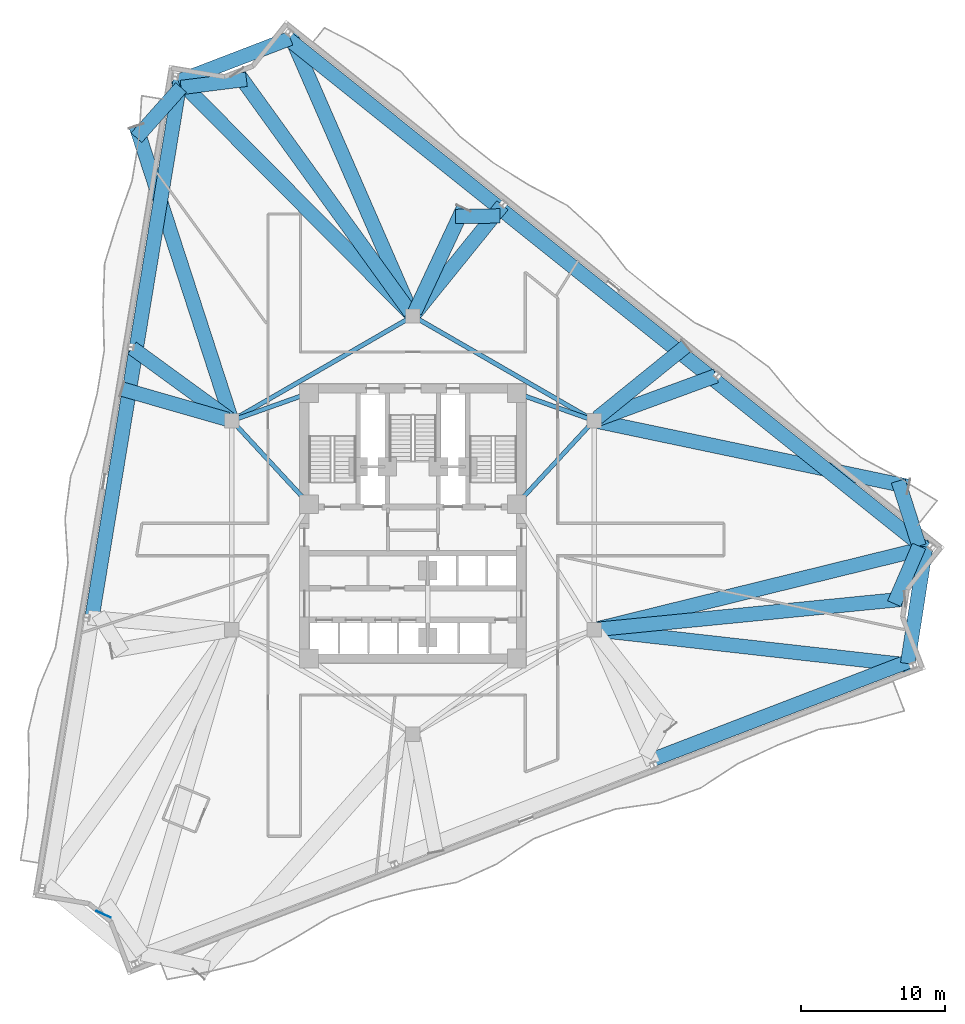
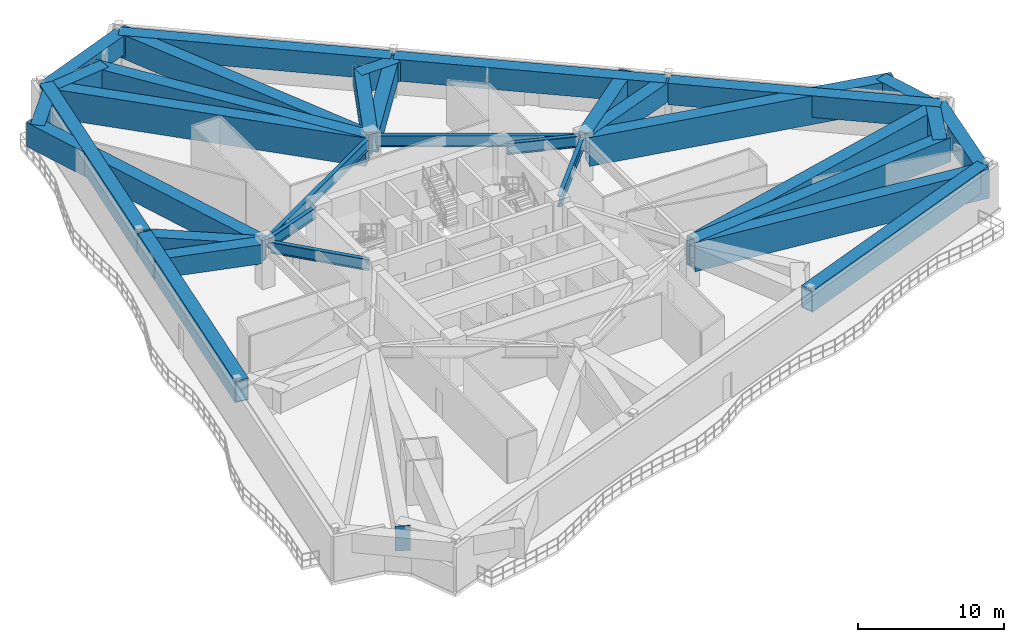
# One storey, part 3 of 14: 33 beams, 1 plate.
"""IFC4 building model written with IfcOpenShell, lengths in metres."""

from ifc_helpers import new_model, si_unit, direction, frame, origin, origin_2d, place, context, subcontext, project, spatial, rectangle, hollow_rectangle, i_section, extrude, material, layer, layer_set, material_profile, profile_set, type_object, element, save


model = new_model("IFC4")

# Units and contexts
model_context = context("Model", 3, precision=1e-05, world=origin(), true_north=direction((0.0, 1.0)))
body_context = subcontext(model_context, "Body", "Model", "MODEL_VIEW")
ifc_project = project(units=[si_unit("LENGTHUNIT", "METRE"), si_unit("AREAUNIT", "SQUARE_METRE"), si_unit("VOLUMEUNIT", "CUBIC_METRE"), si_unit("PLANEANGLEUNIT", "RADIAN"), si_unit("MASSUNIT", "GRAM", prefix="KILO")], contexts=[model_context])

# Site, building, storey
site_placement = place(None, origin())
site = spatial("IfcSite", under=ifc_project, at=site_placement, CompositionType="ELEMENT")
building_placement = place(site_placement, origin())
building = spatial("IfcBuilding", under=site, at=building_placement, Name="Apsidion Concourse Tower", CompositionType="ELEMENT")
storey_placement = place(building_placement, frame((0.0, 0.0, 156.800048828125)))
storey = spatial("IfcBuildingStorey", under=building, at=storey_placement, Name="L36", CompositionType="ELEMENT", Elevation=156.800048828125)

# Beams
ifc_material_1 = material(Name="Structural steel ASTM A992 Grade 50", Category="steel")
ifc_material_profile_1 = material_profile(ifc_material_1, i_section(OverallWidth=0.31005859375, OverallDepth=0.931884765625, WebThickness=0.02099609375, FlangeThickness=0.034423828125, at=origin_2d()), Name="W36X210")
ifc_profile_set_1 = profile_set([ifc_material_profile_1], Name="Structural steel ASTM A992 Grade 50")
beam_type_1 = type_object("IfcBeamType", Name="BM-G-W36", PredefinedType="USERDEFINED", material=ifc_profile_set_1)
beam_1_placement = place(storey_placement, frame((12.28857421875, 6.956298828125, 3.23388671875), z_axis=(-0.678712876106, -0.73440372535, 0.0), x_axis=(0.73440372535, -0.678712876106, 0.0)))
element("IfcBeam", 1, at=beam_1_placement, inside=storey, type_object=beam_type_1, Name="L36 Core Coupling Girder IC3-SC3", ObjectType="GIRDER", PredefinedType="USERDEFINED", context=body_context, shape_type="SweptSolid", body=[
    extrude(i_section(OverallWidth=0.31005859375, OverallDepth=0.931884765625, WebThickness=0.02099609375, FlangeThickness=0.034423828125, at=origin_2d()), origin(), (0.0, 0.0, 1.0), 7.097412109375),
])
beam_2_placement = place(storey_placement, frame((12.18310546875, 7.383544921875, 3.23388671875), z_axis=(-0.942533844539, 0.334110688094, 0.0), x_axis=(-0.334110688094, -0.942533844539, 0.0)))
element("IfcBeam", 2, at=beam_2_placement, inside=storey, type_object=beam_type_1, Name="L36 Core Coupling Girder IC3-SC4", ObjectType="GIRDER", PredefinedType="USERDEFINED", context=body_context, shape_type="SweptSolid", body=[
    extrude(i_section(OverallWidth=0.31005859375, OverallDepth=0.931884765625, WebThickness=0.02099609375, FlangeThickness=0.034423828125, at=origin_2d()), origin(), (0.0, 0.0, 1.0), 4.886962890625),
])
beam_3_placement = place(storey_placement, frame((-12.28857421875, 6.956298828125, 3.23388671875), z_axis=(0.678712876106, -0.73440372535, 0.0), x_axis=(0.73440372535, 0.678712876106, 0.0)))
element("IfcBeam", 3, at=beam_3_placement, inside=storey, type_object=beam_type_1, Name="L36 Core Coupling Girder IC5-SC6", ObjectType="GIRDER", PredefinedType="USERDEFINED", context=body_context, shape_type="SweptSolid", body=[
    extrude(i_section(OverallWidth=0.31005859375, OverallDepth=0.931884765625, WebThickness=0.02099609375, FlangeThickness=0.034423828125, at=origin_2d()), origin(), (0.0, 0.0, 1.0), 7.097412109375),
])
beam_4_placement = place(storey_placement, frame((-12.18310546875, 7.383544921875, 3.23388671875), z_axis=(0.942533844539, 0.334110688094, 0.0), x_axis=(-0.334110688094, 0.942533844539, 0.0)))
element("IfcBeam", 4, at=beam_4_placement, inside=storey, type_object=beam_type_1, Name="L36 Core Coupling Girder IC5-SC5", ObjectType="GIRDER", PredefinedType="USERDEFINED", context=body_context, shape_type="SweptSolid", body=[
    extrude(i_section(OverallWidth=0.31005859375, OverallDepth=0.931884765625, WebThickness=0.02099609375, FlangeThickness=0.034423828125, at=origin_2d()), origin(), (0.0, 0.0, 1.0), 4.886962890625),
])
for number, where, z_axis, x_axis, name in (
    (5, (-12.213623046875, 7.449951171875, 3.23388671875), (0.866070471464, 0.499921932364, 0.0), (-0.499921932364, 0.866070471464, 0.0), "L36 Core Coupling Girder IC5-IC4"),
    (6, (0.346435546875, 14.300048828125, 3.23388671875), (0.866070471464, -0.499921932364, 0.0), (0.499921932364, 0.866070471464, 0.0), "L36 Core Coupling Girder IC4-IC3"),
):
    element("IfcBeam", number, at=place(storey_placement, frame(where, z_axis=z_axis, x_axis=x_axis)), inside=storey, type_object=beam_type_1, Name=name, ObjectType="GIRDER", PredefinedType="USERDEFINED", context=body_context, shape_type="SweptSolid", body=[
        extrude(i_section(OverallWidth=0.31005859375, OverallDepth=0.931884765625, WebThickness=0.02099609375, FlangeThickness=0.034423828125, at=origin_2d()), origin(), (0.0, 0.0, 1.0), 13.702392578125),
    ])
ifc_material_2 = material(Name="Structural steel ASTM A572 Grade 50", Category="steel")
ifc_material_profile_2 = material_profile(ifc_material_2, hollow_rectangle(XDim=1.0, YDim=1.60009765625, WallThickness=0.074951171875, at=origin_2d()), Name="BOX1600X1000X75")
ifc_profile_set_2 = profile_set([ifc_material_profile_2], Name="Structural steel ASTM A572 Grade 50")
beam_type_2 = type_object("IfcBeamType", Name="BM-TR-1600", PredefinedType="USERDEFINED", material=ifc_profile_set_2)
beam_5_placement = place(storey_placement, frame((34.305419921875, -9.6015625, 2.89990234375), z_axis=(0.153589282493, 0.988134774362, 0.0), x_axis=(-0.988134774362, 0.153589282493, 0.0)))
element("IfcBeam", 7, at=beam_5_placement, inside=storey, type_object=beam_type_2, Name="L36 Perimeter Spandrel Girder SP-08", ObjectType="GIRDER", PredefinedType="USERDEFINED", context=body_context, shape_type="SweptSolid", body=[
    extrude(hollow_rectangle(XDim=1.0, YDim=1.60009765625, WallThickness=0.074951171875, at=origin_2d()), origin(), (0.0, 0.0, 1.0), 8.189453125),
])
beam_6_placement = place(storey_placement, frame((-8.50390625, 33.754150390625, 2.89990234375), z_axis=(-0.933580004019, -0.358369050135, 0.0), x_axis=(0.358369050135, -0.933580004019, 0.0)))
element("IfcBeam", 8, at=beam_6_placement, inside=storey, type_object=beam_type_2, Name="L36 Perimeter Spandrel Girder SP-12", ObjectType="GIRDER", PredefinedType="USERDEFINED", context=body_context, shape_type="SweptSolid", body=[
    extrude(hollow_rectangle(XDim=1.0, YDim=1.60009765625, WallThickness=0.074951171875, at=origin_2d()), origin(), (0.0, 0.0, 1.0), 8.314697265625),
])
beam_7_placement = place(storey_placement, frame((-12.73779296875, 7.37939453125, 2.89990234375), z_axis=(-0.80838519092, 0.588653873767, 0.0), x_axis=(-0.588653873767, -0.80838519092, 0.0)))
element("IfcBeam", 9, at=beam_7_placement, inside=storey, type_object=beam_type_2, Name="L36 Radial Floor Girder RAD-02", ObjectType="GIRDER", PredefinedType="USERDEFINED", context=body_context, shape_type="SweptSolid", body=[
    extrude(hollow_rectangle(XDim=1.0, YDim=1.60009765625, WallThickness=0.074951171875, at=origin_2d()), origin(), (0.0, 0.0, 1.0), 8.337646484375),
])
beam_8_placement = place(storey_placement, frame((12.7666015625, 7.32568359375, 2.89990234375), z_axis=(0.938840099728, 0.34435340443, 0.0), x_axis=(-0.34435340443, 0.938840099728, 0.0)))
element("IfcBeam", 10, at=beam_8_placement, inside=storey, type_object=beam_type_2, Name="L36 Radial Floor Girder RAD-10", ObjectType="GIRDER", PredefinedType="USERDEFINED", context=body_context, shape_type="SweptSolid", body=[
    extrude(hollow_rectangle(XDim=1.0, YDim=1.60009765625, WallThickness=0.074951171875, at=origin_2d()), origin(), (0.0, 0.0, 1.0), 8.789306640625),
])
beam_9_placement = place(storey_placement, frame((0.13818359375, 14.671142578125, 2.89990234375), z_axis=(0.628598256624, 0.777730179284, 0.0), x_axis=(-0.777730179284, 0.628598256624, 0.0)))
element("IfcBeam", 11, at=beam_9_placement, inside=storey, type_object=beam_type_2, Name="L36 Radial Floor Girder RAD-11", ObjectType="GIRDER", PredefinedType="USERDEFINED", context=body_context, shape_type="SweptSolid", body=[
    extrude(hollow_rectangle(XDim=1.0, YDim=1.60009765625, WallThickness=0.074951171875, at=origin_2d()), origin(), (0.0, 0.0, 1.0), 9.660400390625),
])
beam_10_placement = place(storey_placement, frame((-16.079345703125, 30.349365234375, 2.89990234375), z_axis=(-0.664214287107, -0.747542226769, 0.0), x_axis=(0.747542226769, -0.664214287107, 0.0)))
element("IfcBeam", 12, at=beam_10_placement, inside=storey, type_object=beam_type_2, Name="L36 Block-Step Perimeter Transfer Bridge NBR-01", ObjectType="GIRDER", PredefinedType="USERDEFINED", context=body_context, shape_type="SweptSolid", body=[
    extrude(hollow_rectangle(XDim=1.0, YDim=1.60009765625, WallThickness=0.074951171875, at=origin_2d()), origin(), (0.0, 0.0, 1.0), 4.661376953125),
])
beam_11_placement = place(storey_placement, frame((-12.848388671875, 7.332763671875, 2.89990234375), z_axis=(-0.961185335604, 0.275903516868, 0.0), x_axis=(-0.275903516868, -0.961185335604, 0.0)))
element("IfcBeam", 13, at=beam_11_placement, inside=storey, type_object=beam_type_2, Name="L36 Block-Step Radial Transfer Girder NTR-02", ObjectType="GIRDER", PredefinedType="USERDEFINED", context=body_context, shape_type="SweptSolid", body=[
    extrude(hollow_rectangle(XDim=1.0, YDim=1.60009765625, WallThickness=0.074951171875, at=origin_2d()), origin(), (0.0, 0.0, 1.0), 7.607177734375),
])
beam_12_placement = place(storey_placement, frame((35.101806640625, -1.453369140625, 2.89990234375), z_axis=(-0.397683057442, -0.917522853025, 0.0), x_axis=(0.917522853025, -0.397683057442, 0.0)))
element("IfcBeam", 14, at=beam_12_placement, inside=storey, type_object=beam_type_2, Name="L36 Block-Step Perimeter Transfer Bridge NBR-08", ObjectType="GIRDER", PredefinedType="USERDEFINED", context=body_context, shape_type="SweptSolid", body=[
    extrude(hollow_rectangle(XDim=1.0, YDim=1.60009765625, WallThickness=0.074951171875, at=origin_2d()), origin(), (0.0, 0.0, 1.0), 4.348876953125),
])
beam_13_placement = place(storey_placement, frame((35.101806640625, -1.453369140625, 2.89990234375), z_axis=(-0.304966184175, 0.952363179942, 0.0), x_axis=(-0.952363179942, -0.304966184175, 0.0)))
element("IfcBeam", 15, at=beam_13_placement, inside=storey, type_object=beam_type_2, Name="L36 Block-Step Perimeter Transfer Bridge NBR-09", ObjectType="GIRDER", PredefinedType="USERDEFINED", context=body_context, shape_type="SweptSolid", body=[
    extrude(hollow_rectangle(XDim=1.0, YDim=1.60009765625, WallThickness=0.074951171875, at=origin_2d()), origin(), (0.0, 0.0, 1.0), 4.744140625),
])
beam_14_placement = place(storey_placement, frame((12.793212890625, 7.438720703125, 2.89990234375), z_axis=(0.777229799817, 0.629216845195, 0.0), x_axis=(-0.629216845195, 0.777229799817, 0.0)))
element("IfcBeam", 16, at=beam_14_placement, inside=storey, type_object=beam_type_2, Name="L36 Block-Step Radial Transfer Girder NTR-10", ObjectType="GIRDER", PredefinedType="USERDEFINED", context=body_context, shape_type="SweptSolid", body=[
    extrude(hollow_rectangle(XDim=1.0, YDim=1.60009765625, WallThickness=0.074951171875, at=origin_2d()), origin(), (0.0, 0.0, 1.0), 7.92236328125),
])
beam_15_placement = place(storey_placement, frame((0.127197265625, 14.771728515625, 2.89990234375), z_axis=(0.423643648941, 0.905828934574, 0.0), x_axis=(-0.905828934574, 0.423643648941, 0.0)))
element("IfcBeam", 17, at=beam_15_placement, inside=storey, type_object=beam_type_2, Name="L36 Block-Step Radial Transfer Girder NTR-11", ObjectType="GIRDER", PredefinedType="USERDEFINED", context=body_context, shape_type="SweptSolid", body=[
    extrude(hollow_rectangle(XDim=1.0, YDim=1.60009765625, WallThickness=0.074951171875, at=origin_2d()), origin(), (0.0, 0.0, 1.0), 7.94873046875),
])
beam_16_placement = place(storey_placement, frame((6.04296875, 21.444091796875, 2.89990234375), z_axis=(-0.999912663546, -0.013216099312, 0.0), x_axis=(0.013216099312, -0.999912663546, 0.0)))
element("IfcBeam", 18, at=beam_16_placement, inside=storey, type_object=beam_type_2, Name="L36 Block-Step Perimeter Transfer Bridge NBR-11", ObjectType="GIRDER", PredefinedType="USERDEFINED", context=body_context, shape_type="SweptSolid", body=[
    extrude(hollow_rectangle(XDim=1.0, YDim=1.60009765625, WallThickness=0.074951171875, at=origin_2d()), origin(), (0.0, 0.0, 1.0), 3.0849609375),
])
beam_17_placement = place(storey_placement, frame((-16.079345703125, 30.349365234375, 2.89990234375), z_axis=(0.992249883873, 0.124258472363, 0.0), x_axis=(-0.124258472363, 0.992249883873, 0.0)))
element("IfcBeam", 19, at=beam_17_placement, inside=storey, type_object=beam_type_2, Name="L36 Block-Step Perimeter Transfer Bridge NBR-12", ObjectType="GIRDER", PredefinedType="USERDEFINED", context=body_context, shape_type="SweptSolid", body=[
    extrude(hollow_rectangle(XDim=1.0, YDim=1.60009765625, WallThickness=0.074951171875, at=origin_2d()), origin(), (0.0, 0.0, 1.0), 4.566162109375),
])
ifc_material_profile_3 = material_profile(ifc_material_2, hollow_rectangle(XDim=1.0, YDim=1.800048828125, WallThickness=0.080078125, at=origin_2d()), Name="BOX1800X1000X80")
ifc_profile_set_3 = profile_set([ifc_material_profile_3], Name="Structural steel ASTM A572 Grade 50")
beam_type_3 = type_object("IfcBeamType", Name="BM-TR-1800", PredefinedType="USERDEFINED", material=ifc_profile_set_3)
for number, where, z_axis, x_axis, name in (
    (20, (-16.115234375, 30.9599609375, 2.800048828125), (-0.162115019654, -0.986771868469, 0.0), (0.986771868469, -0.162115019654, 0.0), "L36 Perimeter Spandrel Girder SP-01"),
    (21, (-19.196533203125, 12.205810546875, 2.800048828125), (-0.162115019654, -0.986771868469, 0.0), (0.986771868469, -0.162115019654, 0.0), "L36 Perimeter Spandrel Girder SP-02"),
):
    element("IfcBeam", number, at=place(storey_placement, frame(where, z_axis=z_axis, x_axis=x_axis)), inside=storey, type_object=beam_type_3, Name=name, ObjectType="GIRDER", PredefinedType="USERDEFINED", context=body_context, shape_type="SweptSolid", body=[
        extrude(hollow_rectangle(XDim=1.0, YDim=1.800048828125, WallThickness=0.080078125, at=origin_2d()), origin(), (0.0, 0.0, 1.0), 18.845703125),
    ])
beam_18_placement = place(storey_placement, frame((16.63525390625, -16.25439453125, 2.800048828125), z_axis=(0.933578109275, 0.358373986058, 0.0), x_axis=(-0.358373986058, 0.933578109275, 0.0)))
element("IfcBeam", 22, at=beam_18_placement, inside=storey, type_object=beam_type_3, Name="L36 Perimeter Spandrel Girder SP-07", ObjectType="GIRDER", PredefinedType="USERDEFINED", context=body_context, shape_type="SweptSolid", body=[
    extrude(hollow_rectangle(XDim=1.0, YDim=1.800048828125, WallThickness=0.080078125, at=origin_2d()), origin(), (0.0, 0.0, 1.0), 19.090576171875),
])
beam_19_placement = place(storey_placement, frame((35.651123046875, -1.7353515625, 2.800048828125), z_axis=(-0.780752517855, 0.624840384309, 0.0), x_axis=(-0.624840384309, -0.780752517855, 0.0)))
element("IfcBeam", 23, at=beam_19_placement, inside=storey, type_object=beam_type_3, Name="L36 Perimeter Spandrel Girder SP-09", ObjectType="GIRDER", PredefinedType="USERDEFINED", context=body_context, shape_type="SweptSolid", body=[
    extrude(hollow_rectangle(XDim=1.0, YDim=1.800048828125, WallThickness=0.080078125, at=origin_2d()), origin(), (0.0, 0.0, 1.0), 18.845458984375),
])
for number, where, z_axis, x_axis, name in (
    (24, (20.8125, 10.14013671875, 2.800048828125), (-0.780757575698, 0.624834064364, 0.0), (-0.624834064364, -0.780757575698, 0.0), "L36 Perimeter Spandrel Girder SP-10"),
    (25, (5.9736328125, 22.015380859375, 2.800048828125), (-0.780751255808, 0.624841961263, 0.0), (-0.624841961263, -0.780751255808, 0.0), "L36 Perimeter Spandrel Girder SP-11"),
):
    element("IfcBeam", number, at=place(storey_placement, frame(where, z_axis=z_axis, x_axis=x_axis)), inside=storey, type_object=beam_type_3, Name=name, ObjectType="GIRDER", PredefinedType="USERDEFINED", context=body_context, shape_type="SweptSolid", body=[
        extrude(hollow_rectangle(XDim=1.0, YDim=1.800048828125, WallThickness=0.080078125, at=origin_2d()), origin(), (0.0, 0.0, 1.0), 18.845703125),
    ])
ifc_material_profile_4 = material_profile(ifc_material_2, hollow_rectangle(XDim=1.0, YDim=2.0, WallThickness=0.080078125, at=origin_2d()), Name="BOX2000X1000X80")
ifc_profile_set_4 = profile_set([ifc_material_profile_4], Name="Structural steel ASTM A572 Grade 50")
beam_type_4 = type_object("IfcBeamType", Name="BM-TR-2000", PredefinedType="USERDEFINED", material=ifc_profile_set_4)
beam_20_placement = place(storey_placement, frame((-0.087890625, 14.70166015625, 2.699951171875), z_axis=(-0.39980027304, 0.916602281078, 0.0), x_axis=(-0.916602281078, -0.39980027304, 0.0)))
element("IfcBeam", 26, at=beam_20_placement, inside=storey, type_object=beam_type_4, Name="L36 Radial Floor Girder RAD-12", ObjectType="GIRDER", PredefinedType="USERDEFINED", context=body_context, shape_type="SweptSolid", body=[
    extrude(hollow_rectangle(XDim=1.0, YDim=2.0, WallThickness=0.080078125, at=origin_2d()), origin(), (0.0, 0.0, 1.0), 21.104248046875),
])
beam_21_placement = place(storey_placement, frame((-12.652587890625, 7.535400390625, 2.699951171875), z_axis=(-0.309079812533, 0.951036103145, 0.0), x_axis=(-0.951036103145, -0.309079812533, 0.0)))
element("IfcBeam", 27, at=beam_21_placement, inside=storey, type_object=beam_type_4, Name="L36 Block-Step Radial Transfer Girder NTR-01", ObjectType="GIRDER", PredefinedType="USERDEFINED", context=body_context, shape_type="SweptSolid", body=[
    extrude(hollow_rectangle(XDim=1.0, YDim=2.0, WallThickness=0.080078125, at=origin_2d()), origin(), (0.0, 0.0, 1.0), 21.165283203125),
])
beam_22_placement = place(storey_placement, frame((12.858642578125, -7.220703125, 2.699951171875), z_axis=(0.995175802112, 0.098107710663, 0.0), x_axis=(-0.098107710663, 0.995175802112, 0.0)))
element("IfcBeam", 28, at=beam_22_placement, inside=storey, type_object=beam_type_4, Name="L36 Block-Step Radial Transfer Girder NTR-08", ObjectType="GIRDER", PredefinedType="USERDEFINED", context=body_context, shape_type="SweptSolid", body=[
    extrude(hollow_rectangle(XDim=1.0, YDim=2.0, WallThickness=0.080078125, at=origin_2d()), origin(), (0.0, 0.0, 1.0), 21.351318359375),
])
beam_23_placement = place(storey_placement, frame((-0.175537109375, 14.743408203125, 2.699951171875), z_axis=(-0.585244778429, 0.810856676189, 0.0), x_axis=(-0.810856676189, -0.585244778429, 0.0)))
element("IfcBeam", 29, at=beam_23_placement, inside=storey, type_object=beam_type_4, Name="L36 Block-Step Radial Transfer Girder NTR-12", ObjectType="GIRDER", PredefinedType="USERDEFINED", context=body_context, shape_type="SweptSolid", body=[
    extrude(hollow_rectangle(XDim=1.0, YDim=2.0, WallThickness=0.080078125, at=origin_2d()), origin(), (0.0, 0.0, 1.0), 20.530029296875),
])
ifc_material_profile_5 = material_profile(ifc_material_2, hollow_rectangle(XDim=1.0, YDim=2.39990234375, WallThickness=0.080078125, at=origin_2d()), Name="BOX2400X1000X80")
ifc_profile_set_5 = profile_set([ifc_material_profile_5], Name="Structural steel ASTM A572 Grade 50")
beam_type_5 = type_object("IfcBeamType", Name="BM-TR-2400", PredefinedType="USERDEFINED", material=ifc_profile_set_5)
beam_24_placement = place(storey_placement, frame((-0.155029296875, 14.656005859375, 2.5), z_axis=(-0.704472079086, 0.709731702679, 0.0), x_axis=(-0.709731702679, -0.704472079086, 0.0)))
element("IfcBeam", 30, at=beam_24_placement, inside=storey, type_object=beam_type_5, Name="L36 Radial Floor Girder RAD-01", ObjectType="GIRDER", PredefinedType="USERDEFINED", context=body_context, shape_type="SweptSolid", body=[
    extrude(hollow_rectangle(XDim=1.0, YDim=2.39990234375, WallThickness=0.080078125, at=origin_2d()), origin(), (0.0, 0.0, 1.0), 23.069580078125),
])
beam_25_placement = place(storey_placement, frame((12.778564453125, -7.274658203125, 2.5), z_axis=(0.993722887176, -0.111869671955, 0.0), x_axis=(0.111869671955, 0.993722887176, 0.0)))
element("IfcBeam", 31, at=beam_25_placement, inside=storey, type_object=beam_type_5, Name="L36 Radial Floor Girder RAD-08", ObjectType="GIRDER", PredefinedType="USERDEFINED", context=body_context, shape_type="SweptSolid", body=[
    extrude(hollow_rectangle(XDim=1.0, YDim=2.39990234375, WallThickness=0.080078125, at=origin_2d()), origin(), (0.0, 0.0, 1.0), 21.928466796875),
])
beam_26_placement = place(storey_placement, frame((12.773681640625, -7.197509765625, 2.5), z_axis=(0.970978267366, 0.239167732569, 0.0), x_axis=(-0.239167732569, 0.970978267366, 0.0)))
element("IfcBeam", 32, at=beam_26_placement, inside=storey, type_object=beam_type_5, Name="L36 Radial Floor Girder RAD-09", ObjectType="GIRDER", PredefinedType="USERDEFINED", context=body_context, shape_type="SweptSolid", body=[
    extrude(hollow_rectangle(XDim=1.0, YDim=2.39990234375, WallThickness=0.080078125, at=origin_2d()), origin(), (0.0, 0.0, 1.0), 23.770263671875),
])
beam_27_placement = place(storey_placement, frame((12.853515625, 7.1884765625, 2.5), z_axis=(0.978712557214, -0.205235792084, 0.0), x_axis=(0.205235792084, 0.978712557214, 0.0)))
element("IfcBeam", 33, at=beam_27_placement, inside=storey, type_object=beam_type_5, Name="L36 Block-Step Radial Transfer Girder NTR-09", ObjectType="GIRDER", PredefinedType="USERDEFINED", context=body_context, shape_type="SweptSolid", body=[
    extrude(hollow_rectangle(XDim=1.0, YDim=2.39990234375, WallThickness=0.080078125, at=origin_2d()), origin(), (0.0, 0.0, 1.0), 21.967529296875),
])

# Plate
ifc_layer = layer(ifc_material_2, 0.034912109375)
ifc_layer_set = layer_set([ifc_layer], Name="Structural steel ASTM A572 Grade 50")
plate_type = type_object("IfcPlateType", Name="PL-ENDCAP-35", PredefinedType="USERDEFINED", material=ifc_layer_set)
plate_placement = place(storey_placement, frame((-21.451171875, -26.9931640625, 1.659912109375), z_axis=(0.0, 0.0, 1.0), x_axis=(-0.410559713862, -0.911833713653, 0.0)))
element("IfcPlate", 34, at=plate_placement, inside=storey, type_object=plate_type, Name="L36 Radial Transfer Girder End-Cap Plate NTRCAP-04", ObjectType="FLANGE_PLATE", PredefinedType="USERDEFINED", context=body_context, shape_type="SweptSolid", body=[
    extrude(rectangle(XDim=0.044921875, YDim=1.080078125, at=origin_2d()), origin(), (0.0, 0.0, 1.0), 2.080078125),
])

save(model, "model.ifc")
